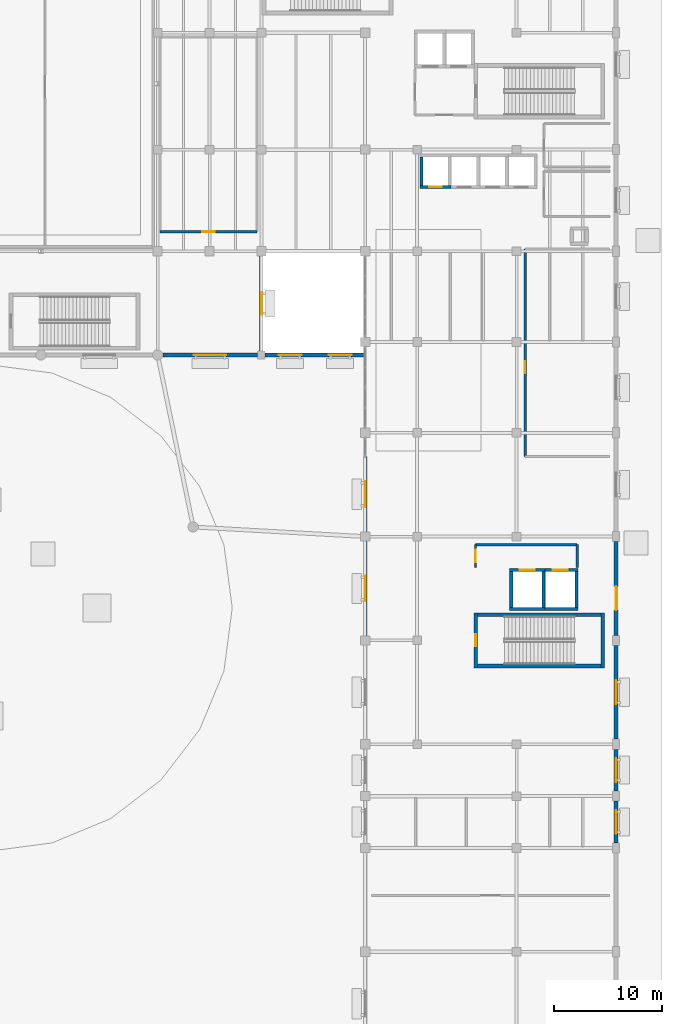
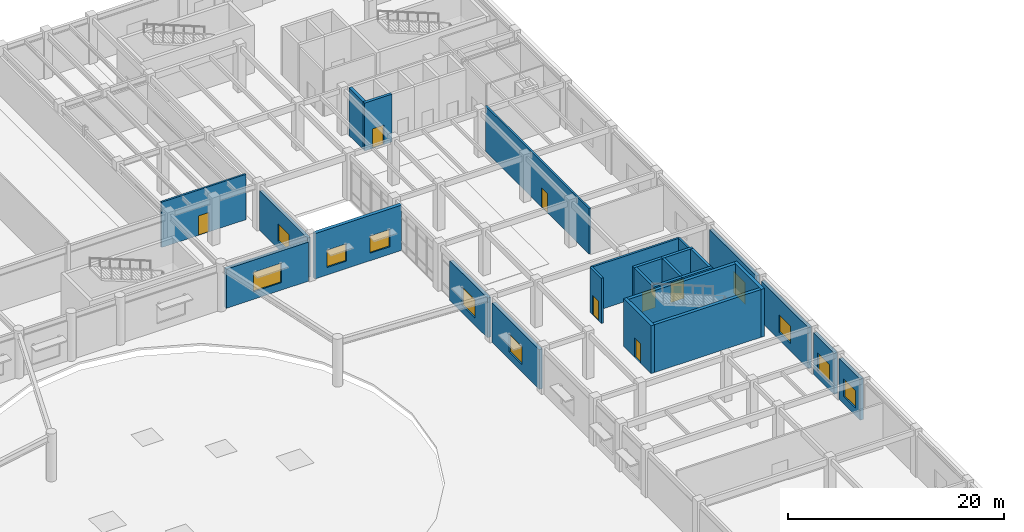
# One storey, part 34 of 54: 27 walls, 9 windows, 8 doors, 17 openings.
"""IFC4 building model written with IfcOpenShell, lengths in metres."""

from ifc_helpers import new_model, si_unit, direction, frame, frame_2d, origin, place, context, subcontext, project, spatial, rectangle, extrude, material, layer, layer_set, type_object, element, fill, save


model = new_model("IFC4")

# Units and contexts
model_context = context("Model", 3, precision=1e-05, world=origin(), true_north=direction((0.0, 1.0)))
body_context = subcontext(model_context, "Body", "Model", "MODEL_VIEW")
ifc_project = project(units=[si_unit("LENGTHUNIT", "METRE"), si_unit("AREAUNIT", "SQUARE_METRE"), si_unit("VOLUMEUNIT", "CUBIC_METRE"), si_unit("PLANEANGLEUNIT", "RADIAN"), si_unit("MASSUNIT", "GRAM", prefix="KILO")], contexts=[model_context])

# Site, building, storey
site_placement = place(None, origin())
site = spatial("IfcSite", under=ifc_project, at=site_placement, CompositionType="ELEMENT")
building_placement = place(site_placement, origin())
building = spatial("IfcBuilding", under=site, at=building_placement, Name="Veldera Park Congress Hotel", CompositionType="ELEMENT")
storey_placement = place(building_placement, origin())
storey = spatial("IfcBuildingStorey", under=building, at=storey_placement, Name="L00", CompositionType="ELEMENT", Elevation=0.0)

# Wall, opening, window
ifc_material_1 = material(Name="Cross-laminated timber CLT V2M1.1", Category="wood")
ifc_layer_1 = layer(ifc_material_1, 0.320068359375)
ifc_layer_set_1 = layer_set([ifc_layer_1], Name="Cross-laminated timber CLT V2M1.1")
wall_type_1 = type_object("IfcWallType", Name="EW-CLT320", PredefinedType="STANDARD", material=ifc_layer_set_1)
wall_1_placement = place(storey_placement, frame((51.199951171875, 17.748046875, 0.0), z_axis=(0.0, 0.0, 1.0), x_axis=(0.0, 1.0, 0.0)))
wall_1 = element("IfcWall", 1, at=wall_1_placement, inside=storey, type_object=wall_type_1, Name="L00 Exterior Wall EW3-L00-0030", PredefinedType="STANDARD", context=body_context, shape_type="SweptSolid", body=[
    extrude(rectangle(XDim=8.828857421875, YDim=0.320068359375, at=frame_2d((4.41455078125, 0.0))), origin(), (0.0, 0.0, 1.0), 4.47509765625),
])
opening_1_placement = place(wall_1_placement, frame((3.364501953125, 0.0, 0.85009765625)))
opening_1 = element("IfcOpeningElement", 2, at=opening_1_placement, cuts=wall_1, Name="Opening WIN-2100", PredefinedType="OPENING", context=body_context, shape_type="SweptSolid", body=[
    extrude(rectangle(XDim=2.10009765625, YDim=1.949951171875, at=frame_2d((1.050048828125, 0.97509765625))), frame((0.0, 0.172119140625, 0.0), z_axis=(0.0, -1.0, 0.0), x_axis=(1.0, 0.0, 0.0)), (0.0, 0.0, 1.0), 0.343994140625),
])
ifc_material_2 = material(Name="Low-E Triple Insulating Glass Unit (SHGC 0.22)", Category="glass")
window_type_1 = type_object("IfcWindowType", Name="WIN-2100", PartitioningType="DOUBLE_PANEL_VERTICAL", PredefinedType="WINDOW", material=ifc_material_2)
window_1_placement = place(opening_1_placement, origin())
window_1 = element("IfcWindow", 3, at=window_1_placement, inside=storey, type_object=window_type_1, Name="L00 Window WIN-2100 30", OverallHeight=1.949951171875, OverallWidth=2.10009765625, PartitioningType="DOUBLE_PANEL_VERTICAL", PredefinedType="WINDOW", context=body_context, shape_type="SweptSolid", body=[
    extrude(rectangle(XDim=2.10009765625, YDim=1.949951171875, at=frame_2d((1.050048828125, 0.97509765625))), frame((0.0, 0.030029296875, 0.0), z_axis=(0.0, -1.0, 0.0), x_axis=(1.0, 0.0, 0.0)), (0.0, 0.0, 1.0), 0.06005859375),
])
fill(opening_1, window_1)

ifc_material_3 = material(Name="Architectural Sandstone Cladding (ASTM C616)", Category="masonry")
ifc_layer_2 = layer(ifc_material_3, 0.360107421875)
ifc_layer_set_2 = layer_set([ifc_layer_2], Name="Architectural Sandstone Cladding (ASTM C616)")
wall_type_2 = type_object("IfcWallType", Name="EW-STONE360", PredefinedType="STANDARD", material=ifc_layer_set_2)
wall_2_placement = place(storey_placement, frame((42.072998046875, 17.39990234375, 0.0), z_axis=(0.0, 0.0, 1.0), x_axis=(1.0, 0.0, 0.0)))
wall_2 = element("IfcWall", 4, at=wall_2_placement, inside=storey, type_object=wall_type_2, Name="L00 Exterior Wall EW3-L00-0037", PredefinedType="STANDARD", context=body_context, shape_type="SweptSolid", body=[
    extrude(rectangle(XDim=8.779052734375, YDim=0.360107421875, at=frame_2d((4.3896484375, 0.0))), origin(), (0.0, 0.0, 1.0), 4.422119140625),
])
opening_2_placement = place(wall_2_placement, frame((2.889404296875, 0.0, 0.85009765625)))
opening_2 = element("IfcOpeningElement", 5, at=opening_2_placement, cuts=wall_2, Name="Opening WIN-3000", PredefinedType="OPENING", context=body_context, shape_type="SweptSolid", body=[
    extrude(rectangle(XDim=3.0, YDim=2.199951171875, at=frame_2d((1.5, 1.10009765625))), frame((0.0, 0.192138671875, 0.0), z_axis=(0.0, -1.0, 0.0), x_axis=(1.0, 0.0, 0.0)), (0.0, 0.0, 1.0), 0.384033203125),
])
window_type_2 = type_object("IfcWindowType", Name="WIN-3000", PartitioningType="TRIPLE_PANEL_VERTICAL", PredefinedType="WINDOW", material=ifc_material_2)
window_2_placement = place(opening_2_placement, origin())
window_2 = element("IfcWindow", 6, at=window_2_placement, inside=storey, type_object=window_type_2, Name="L00 Window WIN-3000 36", OverallHeight=2.199951171875, OverallWidth=3.0, PartitioningType="TRIPLE_PANEL_VERTICAL", PredefinedType="WINDOW", context=body_context, shape_type="SweptSolid", body=[
    extrude(rectangle(XDim=3.0, YDim=2.199951171875, at=frame_2d((1.5, 1.10009765625))), frame((0.0, 0.030029296875, 0.0), z_axis=(0.0, -1.0, 0.0), x_axis=(1.0, 0.0, 0.0)), (0.0, 0.0, 1.0), 0.06005859375),
])
fill(opening_2, window_2)

wall_3_placement = place(storey_placement, frame((84.0, -27.72705078125, 0.0), z_axis=(0.0, 0.0, 1.0), x_axis=(0.0, 1.0, 0.0)))
wall_3 = element("IfcWall", 7, at=wall_3_placement, inside=storey, type_object=wall_type_2, Name="L00 Exterior Wall EW3-L00-0118", PredefinedType="STANDARD", context=body_context, shape_type="SweptSolid", body=[
    extrude(rectangle(XDim=3.85400390625, YDim=0.360107421875, at=frame_2d((1.927001953125, 0.0))), origin(), (0.0, 0.0, 1.0), 4.652099609375),
])
opening_3_placement = place(wall_3_placement, frame((0.826904296875, 0.0, 0.85009765625)))
opening_3 = element("IfcOpeningElement", 8, at=opening_3_placement, cuts=wall_3, Name="Opening WIN-2200", PredefinedType="OPENING", context=body_context, shape_type="SweptSolid", body=[
    extrude(rectangle(XDim=2.199951171875, YDim=2.0, at=frame_2d((1.10009765625, 1.0))), frame((0.0, 0.192138671875, 0.0), z_axis=(0.0, -1.0, 0.0), x_axis=(1.0, 0.0, 0.0)), (0.0, 0.0, 1.0), 0.384033203125),
])
window_type_3 = type_object("IfcWindowType", Name="WIN-2200", PartitioningType="DOUBLE_PANEL_VERTICAL", PredefinedType="WINDOW", material=ifc_material_2)
window_3_placement = place(opening_3_placement, origin())
window_3 = element("IfcWindow", 9, at=window_3_placement, inside=storey, type_object=window_type_3, Name="L00 Window WIN-2200 128", OverallHeight=2.0, OverallWidth=2.199951171875, PartitioningType="DOUBLE_PANEL_VERTICAL", PredefinedType="WINDOW", context=body_context, shape_type="SweptSolid", body=[
    extrude(rectangle(XDim=2.199951171875, YDim=2.0, at=frame_2d((1.10009765625, 1.0))), frame((0.0, 0.030029296875, 0.0), z_axis=(0.0, -1.0, 0.0), x_axis=(1.0, 0.0, 0.0)), (0.0, 0.0, 1.0), 0.06005859375),
])
fill(opening_3, window_3)

wall_4_placement = place(storey_placement, frame((84.0, -22.927001953125, 0.0), z_axis=(0.0, 0.0, 1.0), x_axis=(0.0, 1.0, 0.0)))
wall_4 = element("IfcWall", 10, at=wall_4_placement, inside=storey, type_object=wall_type_2, Name="L00 Exterior Wall EW3-L00-0119", PredefinedType="STANDARD", context=body_context, shape_type="SweptSolid", body=[
    extrude(rectangle(XDim=3.85400390625, YDim=0.360107421875, at=frame_2d((1.927001953125, 0.0))), origin(), (0.0, 0.0, 1.0), 4.652099609375),
])
opening_4_placement = place(wall_4_placement, frame((0.826904296875, 0.0, 0.85009765625)))
opening_4 = element("IfcOpeningElement", 11, at=opening_4_placement, cuts=wall_4, Name="Opening WIN-2200", PredefinedType="OPENING", context=body_context, shape_type="SweptSolid", body=[
    extrude(rectangle(XDim=2.199951171875, YDim=2.0, at=frame_2d((1.10009765625, 1.0))), frame((0.0, 0.192138671875, 0.0), z_axis=(0.0, -1.0, 0.0), x_axis=(1.0, 0.0, 0.0)), (0.0, 0.0, 1.0), 0.384033203125),
])
window_4_placement = place(opening_4_placement, origin())
window_4 = element("IfcWindow", 12, at=window_4_placement, inside=storey, type_object=window_type_3, Name="L00 Window WIN-2200 129", OverallHeight=2.0, OverallWidth=2.199951171875, PartitioningType="DOUBLE_PANEL_VERTICAL", PredefinedType="WINDOW", context=body_context, shape_type="SweptSolid", body=[
    extrude(rectangle(XDim=2.199951171875, YDim=2.0, at=frame_2d((1.10009765625, 1.0))), frame((0.0, 0.030029296875, 0.0), z_axis=(0.0, -1.0, 0.0), x_axis=(1.0, 0.0, 0.0)), (0.0, 0.0, 1.0), 0.06005859375),
])
fill(opening_4, window_4)

wall_5_placement = place(storey_placement, frame((84.0, -18.126953125, 0.0), z_axis=(0.0, 0.0, 1.0), x_axis=(0.0, 1.0, 0.0)))
wall_5 = element("IfcWall", 13, at=wall_5_placement, inside=storey, type_object=wall_type_2, Name="L00 Exterior Wall EW3-L00-0120", PredefinedType="STANDARD", context=body_context, shape_type="SweptSolid", body=[
    extrude(rectangle(XDim=8.654052734375, YDim=0.360107421875, at=frame_2d((4.3271484375, 0.0))), origin(), (0.0, 0.0, 1.0), 4.652099609375),
])
opening_5_placement = place(wall_5_placement, frame((3.22705078125, 0.0, 0.85009765625)))
opening_5 = element("IfcOpeningElement", 14, at=opening_5_placement, cuts=wall_5, Name="Opening WIN-2200", PredefinedType="OPENING", context=body_context, shape_type="SweptSolid", body=[
    extrude(rectangle(XDim=2.199951171875, YDim=2.0, at=frame_2d((1.10009765625, 1.0))), frame((0.0, 0.192138671875, 0.0), z_axis=(0.0, -1.0, 0.0), x_axis=(1.0, 0.0, 0.0)), (0.0, 0.0, 1.0), 0.384033203125),
])
window_5_placement = place(opening_5_placement, origin())
window_5 = element("IfcWindow", 15, at=window_5_placement, inside=storey, type_object=window_type_3, Name="L00 Window WIN-2200 130", OverallHeight=2.0, OverallWidth=2.199951171875, PartitioningType="DOUBLE_PANEL_VERTICAL", PredefinedType="WINDOW", context=body_context, shape_type="SweptSolid", body=[
    extrude(rectangle(XDim=2.199951171875, YDim=2.0, at=frame_2d((1.10009765625, 1.0))), frame((0.0, 0.030029296875, 0.0), z_axis=(0.0, -1.0, 0.0), x_axis=(1.0, 0.0, 0.0)), (0.0, 0.0, 1.0), 0.06005859375),
])
fill(opening_5, window_5)

# Wall, opening, door
wall_6_placement = place(storey_placement, frame((84.0, -8.527099609375, 0.0), z_axis=(0.0, 0.0, 1.0), x_axis=(0.0, 1.0, 0.0)))
wall_6 = element("IfcWall", 16, at=wall_6_placement, inside=storey, type_object=wall_type_2, Name="L00 Exterior Wall EW3-L00-0121", PredefinedType="STANDARD", context=body_context, shape_type="SweptSolid", body=[
    extrude(rectangle(XDim=8.654052734375, YDim=0.360107421875, at=frame_2d((4.3271484375, 0.0))), origin(), (0.0, 0.0, 1.0), 4.652099609375),
])
opening_6_placement = place(wall_6_placement, frame((2.326904296875, 0.0, 0.0)))
opening_6 = element("IfcOpeningElement", 17, at=opening_6_placement, cuts=wall_6, Name="Opening ED-EXIT220", PredefinedType="OPENING", context=body_context, shape_type="SweptSolid", body=[
    extrude(rectangle(XDim=2.199951171875, YDim=2.39990234375, at=frame_2d((1.10009765625, 1.199951171875))), frame((0.0, 0.192138671875, 0.0), z_axis=(0.0, -1.0, 0.0), x_axis=(1.0, 0.0, 0.0)), (0.0, 0.0, 1.0), 0.384033203125),
])
ifc_material_4 = material(Name="Anodised Aluminium Alloy 6063-T6", Category="aluminium")
door_type_1 = type_object("IfcDoorType", Name="ED-EXIT220", OperationType="DOUBLE_DOOR_SINGLE_SWING", PredefinedType="DOOR", material=ifc_material_4)
door_1_placement = place(opening_6_placement, frame((2.199951171875, 0.0, 0.0), z_axis=(0.0, 0.0, 1.0), x_axis=(-1.0, 0.0, 0.0)))
door_1 = element("IfcDoor", 18, at=door_1_placement, inside=storey, type_object=door_type_1, Name="Exterior Door ED-18B (DR3-EXT-L00-0021)", OperationType="DOUBLE_DOOR_SINGLE_SWING", OverallHeight=2.39990234375, OverallWidth=2.199951171875, PredefinedType="DOOR", context=body_context, shape_type="SweptSolid", body=[
    extrude(rectangle(XDim=2.199951171875, YDim=2.39990234375, at=frame_2d((1.10009765625, 1.199951171875))), frame((0.0, 0.02490234375, 0.0), z_axis=(0.0, -1.0, 0.0), x_axis=(1.0, 0.0, 0.0)), (0.0, 0.0, 1.0), 0.050048828125),
])
fill(opening_6, door_1)

# Wall, openings, windows
wall_7_placement = place(storey_placement, frame((51.548095703125, 17.39990234375, 0.0), z_axis=(0.0, 0.0, 1.0), x_axis=(1.0, 0.0, 0.0)))
wall_7 = element("IfcWall", 19, at=wall_7_placement, inside=storey, type_object=wall_type_2, Name="L00 Exterior Wall EW3-L00-0132", PredefinedType="STANDARD", context=body_context, shape_type="SweptSolid", body=[
    extrude(rectangle(XDim=9.251953125, YDim=0.360107421875, at=frame_2d((4.6259765625, 0.0))), origin(), (0.0, 0.0, 1.0), 5.1201171875),
])
opening_7_placement = place(wall_7_placement, frame((1.262939453125, 0.0, 0.85009765625)))
opening_7 = element("IfcOpeningElement", 20, at=opening_7_placement, cuts=wall_7, Name="Opening WIN-2100", PredefinedType="OPENING", context=body_context, shape_type="SweptSolid", body=[
    extrude(rectangle(XDim=2.10009765625, YDim=1.949951171875, at=frame_2d((1.050048828125, 0.97509765625))), frame((0.0, 0.192138671875, 0.0), z_axis=(0.0, -1.0, 0.0), x_axis=(1.0, 0.0, 0.0)), (0.0, 0.0, 1.0), 0.384033203125),
])
opening_8_placement = place(wall_7_placement, frame((5.888916015625, 0.0, 0.85009765625)))
opening_8 = element("IfcOpeningElement", 21, at=opening_8_placement, cuts=wall_7, Name="Opening WIN-2100", PredefinedType="OPENING", context=body_context, shape_type="SweptSolid", body=[
    extrude(rectangle(XDim=2.10009765625, YDim=1.949951171875, at=frame_2d((1.050048828125, 0.97509765625))), frame((0.0, 0.192138671875, 0.0), z_axis=(0.0, -1.0, 0.0), x_axis=(1.0, 0.0, 0.0)), (0.0, 0.0, 1.0), 0.384033203125),
])
window_6_placement = place(opening_7_placement, origin())
window_6 = element("IfcWindow", 22, at=window_6_placement, inside=storey, type_object=window_type_1, Name="L00 Window WIN-2100 139", OverallHeight=1.949951171875, OverallWidth=2.10009765625, PartitioningType="DOUBLE_PANEL_VERTICAL", PredefinedType="WINDOW", context=body_context, shape_type="SweptSolid", body=[
    extrude(rectangle(XDim=2.10009765625, YDim=1.949951171875, at=frame_2d((1.050048828125, 0.97509765625))), frame((0.0, 0.030029296875, 0.0), z_axis=(0.0, -1.0, 0.0), x_axis=(1.0, 0.0, 0.0)), (0.0, 0.0, 1.0), 0.06005859375),
])
fill(opening_7, window_6)
window_7_placement = place(opening_8_placement, origin())
window_7 = element("IfcWindow", 23, at=window_7_placement, inside=storey, type_object=window_type_1, Name="L00 Window WIN-2100 140", OverallHeight=1.949951171875, OverallWidth=2.10009765625, PartitioningType="DOUBLE_PANEL_VERTICAL", PredefinedType="WINDOW", context=body_context, shape_type="SweptSolid", body=[
    extrude(rectangle(XDim=2.10009765625, YDim=1.949951171875, at=frame_2d((1.050048828125, 0.97509765625))), frame((0.0, 0.030029296875, 0.0), z_axis=(0.0, -1.0, 0.0), x_axis=(1.0, 0.0, 0.0)), (0.0, 0.0, 1.0), 0.06005859375),
])
fill(opening_8, window_7)

# Wall, opening, window
wall_8_placement = place(storey_placement, frame((60.800048828125, 8.0, 0.0), z_axis=(0.0, 0.0, 1.0), x_axis=(0.0, -1.0, 0.0)))
wall_8 = element("IfcWall", 24, at=wall_8_placement, inside=storey, type_object=wall_type_2, Name="L00 Exterior Wall EW3-L00-0133", PredefinedType="STANDARD", context=body_context, shape_type="SweptSolid", body=[
    extrude(rectangle(XDim=6.97705078125, YDim=0.360107421875, at=frame_2d((3.488525390625, 0.0))), origin(), (0.0, 0.0, 1.0), 4.47509765625),
])
opening_9_placement = place(wall_8_placement, frame((2.28857421875, 0.0, 0.85009765625)))
opening_9 = element("IfcOpeningElement", 25, at=opening_9_placement, cuts=wall_8, Name="Opening WIN-2400", PredefinedType="OPENING", context=body_context, shape_type="SweptSolid", body=[
    extrude(rectangle(XDim=2.39990234375, YDim=2.050048828125, at=frame_2d((1.199951171875, 1.02490234375))), frame((0.0, 0.192138671875, 0.0), z_axis=(0.0, -1.0, 0.0), x_axis=(1.0, 0.0, 0.0)), (0.0, 0.0, 1.0), 0.384033203125),
])
window_type_4 = type_object("IfcWindowType", Name="WIN-2400", PartitioningType="DOUBLE_PANEL_VERTICAL", PredefinedType="WINDOW", material=ifc_material_2)
window_8_placement = place(opening_9_placement, origin())
window_8 = element("IfcWindow", 26, at=window_8_placement, inside=storey, type_object=window_type_4, Name="L00 Window WIN-2400 141", OverallHeight=2.050048828125, OverallWidth=2.39990234375, PartitioningType="DOUBLE_PANEL_VERTICAL", PredefinedType="WINDOW", context=body_context, shape_type="SweptSolid", body=[
    extrude(rectangle(XDim=2.39990234375, YDim=2.050048828125, at=frame_2d((1.199951171875, 1.02490234375))), frame((0.0, 0.030029296875, 0.0), z_axis=(0.0, -1.0, 0.0), x_axis=(1.0, 0.0, 0.0)), (0.0, 0.0, 1.0), 0.06005859375),
])
fill(opening_9, window_8)

wall_9_placement = place(storey_placement, frame((60.800048828125, 0.177001953125, 0.0), z_axis=(0.0, 0.0, 1.0), x_axis=(0.0, -1.0, 0.0)))
wall_9 = element("IfcWall", 27, at=wall_9_placement, inside=storey, type_object=wall_type_2, Name="L00 Exterior Wall EW3-L00-0134", PredefinedType="STANDARD", context=body_context, shape_type="SweptSolid", body=[
    extrude(rectangle(XDim=8.75390625, YDim=0.360107421875, at=frame_2d((4.376953125, 0.0))), origin(), (0.0, 0.0, 1.0), 4.47509765625),
])
opening_10_placement = place(wall_9_placement, frame((3.177001953125, 0.0, 0.85009765625)))
opening_10 = element("IfcOpeningElement", 28, at=opening_10_placement, cuts=wall_9, Name="Opening WIN-2400", PredefinedType="OPENING", context=body_context, shape_type="SweptSolid", body=[
    extrude(rectangle(XDim=2.39990234375, YDim=2.050048828125, at=frame_2d((1.199951171875, 1.02490234375))), frame((0.0, 0.192138671875, 0.0), z_axis=(0.0, -1.0, 0.0), x_axis=(1.0, 0.0, 0.0)), (0.0, 0.0, 1.0), 0.384033203125),
])
window_9_placement = place(opening_10_placement, origin())
window_9 = element("IfcWindow", 29, at=window_9_placement, inside=storey, type_object=window_type_4, Name="L00 Window WIN-2400 142", OverallHeight=2.050048828125, OverallWidth=2.39990234375, PartitioningType="DOUBLE_PANEL_VERTICAL", PredefinedType="WINDOW", context=body_context, shape_type="SweptSolid", body=[
    extrude(rectangle(XDim=2.39990234375, YDim=2.050048828125, at=frame_2d((1.199951171875, 1.02490234375))), frame((0.0, 0.030029296875, 0.0), z_axis=(0.0, -1.0, 0.0), x_axis=(1.0, 0.0, 0.0)), (0.0, 0.0, 1.0), 0.06005859375),
])
fill(opening_10, window_9)

# Wall, opening, door
ifc_material_5 = material(Name="Fire-Rated Gypsum Board on Cold-Formed Steel Studs", Category="steel")
ifc_layer_3 = layer(ifc_material_5, 0.195068359375)
ifc_layer_set_3 = layer_set([ifc_layer_3], Name="Fire-Rated Gypsum Board on Cold-Formed Steel Studs")
wall_type_3 = type_object("IfcWallType", Name="IW-CORR195", PredefinedType="PARTITIONING", material=ifc_layer_set_3)
wall_10_placement = place(storey_placement, frame((41.800048828125, 28.800048828125, 0.0), z_axis=(0.0, 0.0, 1.0), x_axis=(1.0, 0.0, 0.0)))
wall_10 = element("IfcWall", 30, at=wall_10_placement, inside=storey, type_object=wall_type_3, Name="L00 Partition Wall IW3-L00-00070", PredefinedType="PARTITIONING", context=body_context, shape_type="SweptSolid", body=[
    extrude(rectangle(XDim=9.0, YDim=0.195068359375, at=frame_2d((4.5, 0.0))), origin(), (0.0, 0.0, 1.0), 5.1201171875),
])
opening_11_placement = place(wall_10_placement, frame((3.925048828125, 0.0, 0.0)))
opening_11 = element("IfcOpeningElement", 31, at=opening_11_placement, cuts=wall_10, Name="Opening ID-MEET115", PredefinedType="OPENING", context=body_context, shape_type="SweptSolid", body=[
    extrude(rectangle(XDim=1.14990234375, YDim=2.199951171875, at=frame_2d((0.574951171875, 1.10009765625))), frame((0.0, 0.109619140625, 0.0), z_axis=(0.0, -1.0, 0.0), x_axis=(1.0, 0.0, 0.0)), (0.0, 0.0, 1.0), 0.218994140625),
])
ifc_material_6 = material(Name="Solid Core White Oak Architectural Door", Category="wood")
door_type_2 = type_object("IfcDoorType", Name="ID-MEET115", OperationType="NOTDEFINED", PredefinedType="DOOR", material=ifc_material_6)
door_2_placement = place(opening_11_placement, origin())
door_2 = element("IfcDoor", 32, at=door_2_placement, inside=storey, type_object=door_type_2, Name="L00 Banquet Plating Pantry and Beverage Bar Door ID3-L00-0025 (DR3-ID3-L00-0025)", OperationType="SINGLE_SWING_LEFT", OverallHeight=2.199951171875, OverallWidth=1.14990234375, PredefinedType="DOOR", context=body_context, shape_type="SweptSolid", body=[
    extrude(rectangle(XDim=1.14990234375, YDim=2.199951171875, at=frame_2d((0.574951171875, 1.10009765625))), frame((0.0, 0.02490234375, 0.0), z_axis=(0.0, -1.0, 0.0), x_axis=(1.0, 0.0, 0.0)), (0.0, 0.0, 1.0), 0.050048828125),
])
fill(opening_11, door_2)

wall_11_placement = place(storey_placement, frame((75.60009765625, 27.199951171875, 0.0), z_axis=(0.0, 0.0, 1.0), x_axis=(0.0, -1.0, 0.0)))
wall_11 = element("IfcWall", 33, at=wall_11_placement, inside=storey, type_object=wall_type_3, Name="L00 Partition Wall IW3-L00-00082", PredefinedType="PARTITIONING", context=body_context, shape_type="SweptSolid", body=[
    extrude(rectangle(XDim=19.199951171875, YDim=0.195068359375, at=frame_2d((9.60009765625, 0.0))), origin(), (0.0, 0.0, 1.0), 5.1201171875),
])
opening_12_placement = place(wall_11_placement, frame((10.360595703125, 0.0, 0.0)))
opening_12 = element("IfcOpeningElement", 34, at=opening_12_placement, cuts=wall_11, Name="Opening ID-MEET115", PredefinedType="OPENING", context=body_context, shape_type="SweptSolid", body=[
    extrude(rectangle(XDim=1.14990234375, YDim=2.199951171875, at=frame_2d((0.574951171875, 1.10009765625))), frame((0.0, 0.109619140625, 0.0), z_axis=(0.0, -1.0, 0.0), x_axis=(1.0, 0.0, 0.0)), (0.0, 0.0, 1.0), 0.218994140625),
])
door_3_placement = place(opening_12_placement, origin())
door_3 = element("IfcDoor", 35, at=door_3_placement, inside=storey, type_object=door_type_2, Name="L00 Concierge Lounge and Luggage Gallery Door ID3-L00-0028 (DR3-ID3-L00-0028)", OperationType="SINGLE_SWING_LEFT", OverallHeight=2.199951171875, OverallWidth=1.14990234375, PredefinedType="DOOR", context=body_context, shape_type="SweptSolid", body=[
    extrude(rectangle(XDim=1.14990234375, YDim=2.199951171875, at=frame_2d((0.574951171875, 1.10009765625))), frame((0.0, 0.02490234375, 0.0), z_axis=(0.0, -1.0, 0.0), x_axis=(1.0, 0.0, 0.0)), (0.0, 0.0, 1.0), 0.050048828125),
])
fill(opening_12, door_3)

# Walls
ifc_material_7 = material(Name="Concrete f'c 40 MPa (5,800 psi)", Category="concrete")
ifc_layer_4 = layer(ifc_material_7, 0.219970703125)
ifc_layer_set_4 = layer_set([ifc_layer_4], Name="Concrete f'c 40 MPa (5,800 psi)")
wall_type_4 = type_object("IfcWallType", Name="IW-FIRE220", PredefinedType="STANDARD", material=ifc_layer_set_4)
wall_12_placement = place(storey_placement, frame((80.39990234375, -2.25, 0.0), z_axis=(0.0, 0.0, 1.0), x_axis=(0.0, 1.0, 0.0)))
element("IfcWall", 36, at=wall_12_placement, inside=storey, type_object=wall_type_4, Name="L00 Partition Wall IW3-L00-00044", PredefinedType="STANDARD", context=body_context, shape_type="SweptSolid", body=[
    extrude(rectangle(XDim=2.10009765625, YDim=0.219970703125, at=frame_2d((1.050048828125, 0.0))), origin(), (0.0, 0.0, 1.0), 5.1201171875),
])
wall_13_placement = place(storey_placement, frame((80.39990234375, -0.14990234375, 0.0), z_axis=(0.0, 0.0, 1.0), x_axis=(-1.0, 0.0, 0.0)))
element("IfcWall", 37, at=wall_13_placement, inside=storey, type_object=wall_type_4, Name="L00 Partition Wall IW3-L00-00045", PredefinedType="STANDARD", context=body_context, shape_type="SweptSolid", body=[
    extrude(rectangle(XDim=9.39990234375, YDim=0.219970703125, at=frame_2d((4.699951171875, 0.0))), origin(), (0.0, 0.0, 1.0), 5.1201171875),
])

# Wall, opening, door
wall_14_placement = place(storey_placement, frame((71.0, -0.14990234375, 0.0), z_axis=(0.0, 0.0, 1.0), x_axis=(0.0, -1.0, 0.0)))
wall_14 = element("IfcWall", 38, at=wall_14_placement, inside=storey, type_object=wall_type_4, Name="L00 Partition Wall IW3-L00-00046", PredefinedType="STANDARD", context=body_context, shape_type="SweptSolid", body=[
    extrude(rectangle(XDim=2.10009765625, YDim=0.219970703125, at=frame_2d((1.050048828125, 0.0))), origin(), (0.0, 0.0, 1.0), 5.1201171875),
])
opening_13_placement = place(wall_14_placement, frame((0.47509765625, 0.0, 0.0)))
opening_13 = element("IfcOpeningElement", 39, at=opening_13_placement, cuts=wall_14, Name="Opening ID-MEET115", PredefinedType="OPENING", context=body_context, shape_type="SweptSolid", body=[
    extrude(rectangle(XDim=1.14990234375, YDim=2.199951171875, at=frame_2d((0.574951171875, 1.10009765625))), frame((0.0, 0.1220703125, 0.0), z_axis=(0.0, -1.0, 0.0), x_axis=(1.0, 0.0, 0.0)), (0.0, 0.0, 1.0), 0.243896484375),
])
door_4_placement = place(opening_13_placement, origin())
door_4 = element("IfcDoor", 40, at=door_4_placement, inside=storey, type_object=door_type_2, Name="L00 Service Lift Lobby Door ID3-L00-0017 (DR3-ID3-L00-0017)", OperationType="SINGLE_SWING_RIGHT", OverallHeight=2.199951171875, OverallWidth=1.14990234375, PredefinedType="DOOR", context=body_context, shape_type="SweptSolid", body=[
    extrude(rectangle(XDim=1.14990234375, YDim=2.199951171875, at=frame_2d((0.574951171875, 1.10009765625))), frame((0.0, 0.02490234375, 0.0), z_axis=(0.0, -1.0, 0.0), x_axis=(1.0, 0.0, 0.0)), (0.0, 0.0, 1.0), 0.050048828125),
])
fill(opening_13, door_4)

# Walls
ifc_layer_5 = layer(ifc_material_7, 0.35009765625)
ifc_layer_set_5 = layer_set([ifc_layer_5], Name="Concrete f'c 40 MPa (5,800 psi)")
wall_type_5 = type_object("IfcWallType", Name="SW-CORE350", PredefinedType="SHEAR", material=ifc_layer_set_5)
wall_15_placement = place(storey_placement, frame((70.85009765625, -11.375, 0.0), z_axis=(0.0, 0.0, 1.0), x_axis=(1.0, 0.0, 0.0)))
element("IfcWall", 41, at=wall_15_placement, inside=storey, type_object=wall_type_5, Name="Stair ST2 Core Wall L00-S", PredefinedType="SHEAR", context=body_context, shape_type="SweptSolid", body=[
    extrude(rectangle(XDim=12.099853515625, YDim=0.35009765625, at=frame_2d((6.0498046875, 0.0))), origin(), (0.0, 0.0, 1.0), 5.39990234375),
])
wall_16_placement = place(storey_placement, frame((82.77490234375, -11.550048828125, 0.0), z_axis=(0.0, 0.0, 1.0), x_axis=(0.0, 1.0, 0.0)))
element("IfcWall", 42, at=wall_16_placement, inside=storey, type_object=wall_type_5, Name="Stair ST2 Core Wall L00-E", PredefinedType="SHEAR", context=body_context, shape_type="SweptSolid", body=[
    extrude(rectangle(XDim=5.10009765625, YDim=0.35009765625, at=frame_2d((2.550048828125, 0.0))), origin(), (0.0, 0.0, 1.0), 5.39990234375),
])
wall_17_placement = place(storey_placement, frame((82.949951171875, -6.625, 0.0), z_axis=(0.0, 0.0, 1.0), x_axis=(-1.0, 0.0, 0.0)))
element("IfcWall", 43, at=wall_17_placement, inside=storey, type_object=wall_type_5, Name="Stair ST2 Core Wall L00-N", PredefinedType="SHEAR", context=body_context, shape_type="SweptSolid", body=[
    extrude(rectangle(XDim=12.099853515625, YDim=0.35009765625, at=frame_2d((6.0498046875, 0.0))), origin(), (0.0, 0.0, 1.0), 5.39990234375),
])

# Wall, opening, door
wall_18_placement = place(storey_placement, frame((71.02490234375, -6.449951171875, 0.0), z_axis=(0.0, 0.0, 1.0), x_axis=(0.0, -1.0, 0.0)))
wall_18 = element("IfcWall", 44, at=wall_18_placement, inside=storey, type_object=wall_type_5, Name="Stair ST2 Core Wall L00-W", PredefinedType="SHEAR", context=body_context, shape_type="SweptSolid", body=[
    extrude(rectangle(XDim=5.10009765625, YDim=0.35009765625, at=frame_2d((2.550048828125, 0.0))), origin(), (0.0, 0.0, 1.0), 5.39990234375),
])
opening_14_placement = place(wall_18_placement, frame((2.0, 0.0, 0.0)))
opening_14 = element("IfcOpeningElement", 45, at=opening_14_placement, cuts=wall_18, Name="Opening ID-STAIR110", PredefinedType="OPENING", context=body_context, shape_type="SweptSolid", body=[
    extrude(rectangle(XDim=1.10009765625, YDim=2.199951171875, at=frame_2d((0.550048828125, 1.10009765625))), frame((0.0, 0.18701171875, 0.0), z_axis=(0.0, -1.0, 0.0), x_axis=(1.0, 0.0, 0.0)), (0.0, 0.0, 1.0), 0.3740234375),
])
ifc_material_8 = material(Name="Hollow Metal Fire-Rated Steel Door", Category="steel")
door_type_3 = type_object("IfcDoorType", Name="ID-STAIR110", OperationType="NOTDEFINED", PredefinedType="DOOR", material=ifc_material_8)
door_5_placement = place(opening_14_placement, origin())
door_5 = element("IfcDoor", 46, at=door_5_placement, inside=storey, type_object=door_type_3, Name="L00 Stair ST2 Fire Door (DR3-SD-ST2-L00)", OperationType="SINGLE_SWING_LEFT", OverallHeight=2.199951171875, OverallWidth=1.10009765625, PredefinedType="DOOR", context=body_context, shape_type="SweptSolid", body=[
    extrude(rectangle(XDim=1.10009765625, YDim=2.199951171875, at=frame_2d((0.550048828125, 1.10009765625))), frame((0.0, 0.02490234375, 0.0), z_axis=(0.0, -1.0, 0.0), x_axis=(1.0, 0.0, 0.0)), (0.0, 0.0, 1.0), 0.050048828125),
])
fill(opening_14, door_5)

ifc_layer_6 = layer(ifc_material_7, 0.300048828125)
ifc_layer_set_6 = layer_set([ifc_layer_6], Name="Concrete f'c 40 MPa (5,800 psi)")
wall_type_6 = type_object("IfcWallType", Name="SW-SHFT300", PredefinedType="SHEAR", material=ifc_layer_set_6)
wall_19_placement = place(storey_placement, frame((65.85009765625, 32.949951171875, 0.0), z_axis=(0.0, 0.0, 1.0), x_axis=(1.0, 0.0, 0.0)))
wall_19 = element("IfcWall", 47, at=wall_19_placement, inside=storey, type_object=wall_type_6, Name="Lift PL-01 Shaft Wall L00-S", PredefinedType="SHEAR", context=body_context, shape_type="SweptSolid", body=[
    extrude(rectangle(XDim=2.89990234375, YDim=0.300048828125, at=frame_2d((1.449951171875, 0.0))), origin(), (0.0, 0.0, 1.0), 5.39990234375),
])
opening_15_placement = place(wall_19_placement, frame((0.85009765625, 0.0, 0.0)))
opening_15 = element("IfcOpeningElement", 48, at=opening_15_placement, cuts=wall_19, Name="Opening LD-120", PredefinedType="OPENING", context=body_context, shape_type="SweptSolid", body=[
    extrude(rectangle(XDim=1.199951171875, YDim=2.199951171875, at=frame_2d((0.60009765625, 1.10009765625))), frame((0.0, 0.162109375, 0.0), z_axis=(0.0, -1.0, 0.0), x_axis=(1.0, 0.0, 0.0)), (0.0, 0.0, 1.0), 0.323974609375),
])
door_type_4 = type_object("IfcDoorType", Name="LD-120", OperationType="DOUBLE_DOOR_SLIDING", PredefinedType="DOOR", material=ifc_material_8)
door_6_placement = place(opening_15_placement, origin())
door_6 = element("IfcDoor", 49, at=door_6_placement, inside=storey, type_object=door_type_4, Name="L00 Lift PL-01 Landing Door (DR3-LD-PL-01-L00)", OperationType="DOUBLE_DOOR_SLIDING", OverallHeight=2.199951171875, OverallWidth=1.199951171875, PredefinedType="DOOR", context=body_context, shape_type="SweptSolid", body=[
    extrude(rectangle(XDim=1.199951171875, YDim=2.199951171875, at=frame_2d((0.60009765625, 1.10009765625))), frame((0.0, 0.02490234375, 0.0), z_axis=(0.0, -1.0, 0.0), x_axis=(1.0, 0.0, 0.0)), (0.0, 0.0, 1.0), 0.050048828125),
])
fill(opening_15, door_6)

# Walls
wall_20_placement = place(storey_placement, frame((66.0, 35.699951171875, 0.0), z_axis=(0.0, 0.0, 1.0), x_axis=(0.0, -1.0, 0.0)))
element("IfcWall", 50, at=wall_20_placement, inside=storey, type_object=wall_type_6, Name="Lift PL-01 Shaft Wall L00-W", PredefinedType="SHEAR", context=body_context, shape_type="SweptSolid", body=[
    extrude(rectangle(XDim=2.599853515625, YDim=0.300048828125, at=frame_2d((1.2998046875, 0.0))), origin(), (0.0, 0.0, 1.0), 5.39990234375),
])
wall_21_placement = place(storey_placement, frame((74.14990234375, -6.10009765625, 0.0), z_axis=(0.0, 0.0, 1.0), x_axis=(1.0, 0.0, 0.0)))
element("IfcWall", 51, at=wall_21_placement, inside=storey, type_object=wall_type_6, Name="Lift SL-01 Shaft Wall L00-S", PredefinedType="SHEAR", context=body_context, shape_type="SweptSolid", body=[
    extrude(rectangle(XDim=3.300048828125, YDim=0.300048828125, at=frame_2d((1.64990234375, 0.0))), origin(), (0.0, 0.0, 1.0), 5.39990234375),
])

# Wall, opening, door
wall_22_placement = place(storey_placement, frame((77.449951171875, -2.5, 0.0), z_axis=(0.0, 0.0, 1.0), x_axis=(-1.0, 0.0, 0.0)))
wall_22 = element("IfcWall", 52, at=wall_22_placement, inside=storey, type_object=wall_type_6, Name="Lift SL-01 Shaft Wall L00-N", PredefinedType="SHEAR", context=body_context, shape_type="SweptSolid", body=[
    extrude(rectangle(XDim=3.300048828125, YDim=0.300048828125, at=frame_2d((1.64990234375, 0.0))), origin(), (0.0, 0.0, 1.0), 5.39990234375),
])
opening_16_placement = place(wall_22_placement, frame((0.949951171875, 0.0, 0.0)))
opening_16 = element("IfcOpeningElement", 53, at=opening_16_placement, cuts=wall_22, Name="Opening LD-140", PredefinedType="OPENING", context=body_context, shape_type="SweptSolid", body=[
    extrude(rectangle(XDim=1.39990234375, YDim=2.199951171875, at=frame_2d((0.699951171875, 1.10009765625))), frame((0.0, 0.162109375, 0.0), z_axis=(0.0, -1.0, 0.0), x_axis=(1.0, 0.0, 0.0)), (0.0, 0.0, 1.0), 0.323974609375),
])
door_type_5 = type_object("IfcDoorType", Name="LD-140", OperationType="DOUBLE_DOOR_SLIDING", PredefinedType="DOOR", material=ifc_material_8)
door_7_placement = place(opening_16_placement, origin())
door_7 = element("IfcDoor", 54, at=door_7_placement, inside=storey, type_object=door_type_5, Name="L00 Lift SL-01 Landing Door (DR3-LD-SL-01-L00)", OperationType="DOUBLE_DOOR_SLIDING", OverallHeight=2.199951171875, OverallWidth=1.39990234375, PredefinedType="DOOR", context=body_context, shape_type="SweptSolid", body=[
    extrude(rectangle(XDim=1.39990234375, YDim=2.199951171875, at=frame_2d((0.699951171875, 1.10009765625))), frame((0.0, 0.02490234375, 0.0), z_axis=(0.0, -1.0, 0.0), x_axis=(1.0, 0.0, 0.0)), (0.0, 0.0, 1.0), 0.050048828125),
])
fill(opening_16, door_7)

# Walls
for number, where, z_axis, x_axis, name in (
    (55, (77.300048828125, -5.949951171875, 0.0), (0.0, 0.0, 1.0), (0.0, 1.0, 0.0), "Lift SL-01 Shaft Wall L00-E"),
    (56, (74.300048828125, -2.64990234375, 0.0), (0.0, 0.0, 1.0), (0.0, -1.0, 0.0), "Lift SL-01 Shaft Wall L00-W"),
    (57, (77.199951171875, -6.10009765625, 0.0), (0.0, 0.0, 1.0), (1.0, 0.0, 0.0), "Lift SL-02 Shaft Wall L00-S"),
):
    element("IfcWall", number, at=place(storey_placement, frame(where, z_axis=z_axis, x_axis=x_axis)), inside=storey, type_object=wall_type_6, Name=name, PredefinedType="SHEAR", context=body_context, shape_type="SweptSolid", body=[
        extrude(rectangle(XDim=3.300048828125, YDim=0.300048828125, at=frame_2d((1.64990234375, 0.0))), origin(), (0.0, 0.0, 1.0), 5.39990234375),
    ])

# Wall, opening, door
wall_23_placement = place(storey_placement, frame((80.5, -2.5, 0.0), z_axis=(0.0, 0.0, 1.0), x_axis=(-1.0, 0.0, 0.0)))
wall_23 = element("IfcWall", 58, at=wall_23_placement, inside=storey, type_object=wall_type_6, Name="Lift SL-02 Shaft Wall L00-N", PredefinedType="SHEAR", context=body_context, shape_type="SweptSolid", body=[
    extrude(rectangle(XDim=3.300048828125, YDim=0.300048828125, at=frame_2d((1.64990234375, 0.0))), origin(), (0.0, 0.0, 1.0), 5.39990234375),
])
opening_17_placement = place(wall_23_placement, frame((0.949951171875, 0.0, 0.0)))
opening_17 = element("IfcOpeningElement", 59, at=opening_17_placement, cuts=wall_23, Name="Opening LD-140", PredefinedType="OPENING", context=body_context, shape_type="SweptSolid", body=[
    extrude(rectangle(XDim=1.39990234375, YDim=2.199951171875, at=frame_2d((0.699951171875, 1.10009765625))), frame((0.0, 0.162109375, 0.0), z_axis=(0.0, -1.0, 0.0), x_axis=(1.0, 0.0, 0.0)), (0.0, 0.0, 1.0), 0.323974609375),
])
door_8_placement = place(opening_17_placement, origin())
door_8 = element("IfcDoor", 60, at=door_8_placement, inside=storey, type_object=door_type_5, Name="L00 Lift SL-02 Landing Door (DR3-LD-SL-02-L00)", OperationType="DOUBLE_DOOR_SLIDING", OverallHeight=2.199951171875, OverallWidth=1.39990234375, PredefinedType="DOOR", context=body_context, shape_type="SweptSolid", body=[
    extrude(rectangle(XDim=1.39990234375, YDim=2.199951171875, at=frame_2d((0.699951171875, 1.10009765625))), frame((0.0, 0.02490234375, 0.0), z_axis=(0.0, -1.0, 0.0), x_axis=(1.0, 0.0, 0.0)), (0.0, 0.0, 1.0), 0.050048828125),
])
fill(opening_17, door_8)

# Wall
wall_24_placement = place(storey_placement, frame((80.35009765625, -5.949951171875, 0.0), z_axis=(0.0, 0.0, 1.0), x_axis=(0.0, 1.0, 0.0)))
element("IfcWall", 61, at=wall_24_placement, inside=storey, type_object=wall_type_6, Name="Lift SL-02 Shaft Wall L00-E", PredefinedType="SHEAR", context=body_context, shape_type="SweptSolid", body=[
    extrude(rectangle(XDim=3.300048828125, YDim=0.300048828125, at=frame_2d((1.64990234375, 0.0))), origin(), (0.0, 0.0, 1.0), 5.39990234375),
])

save(model, "model.ifc")
